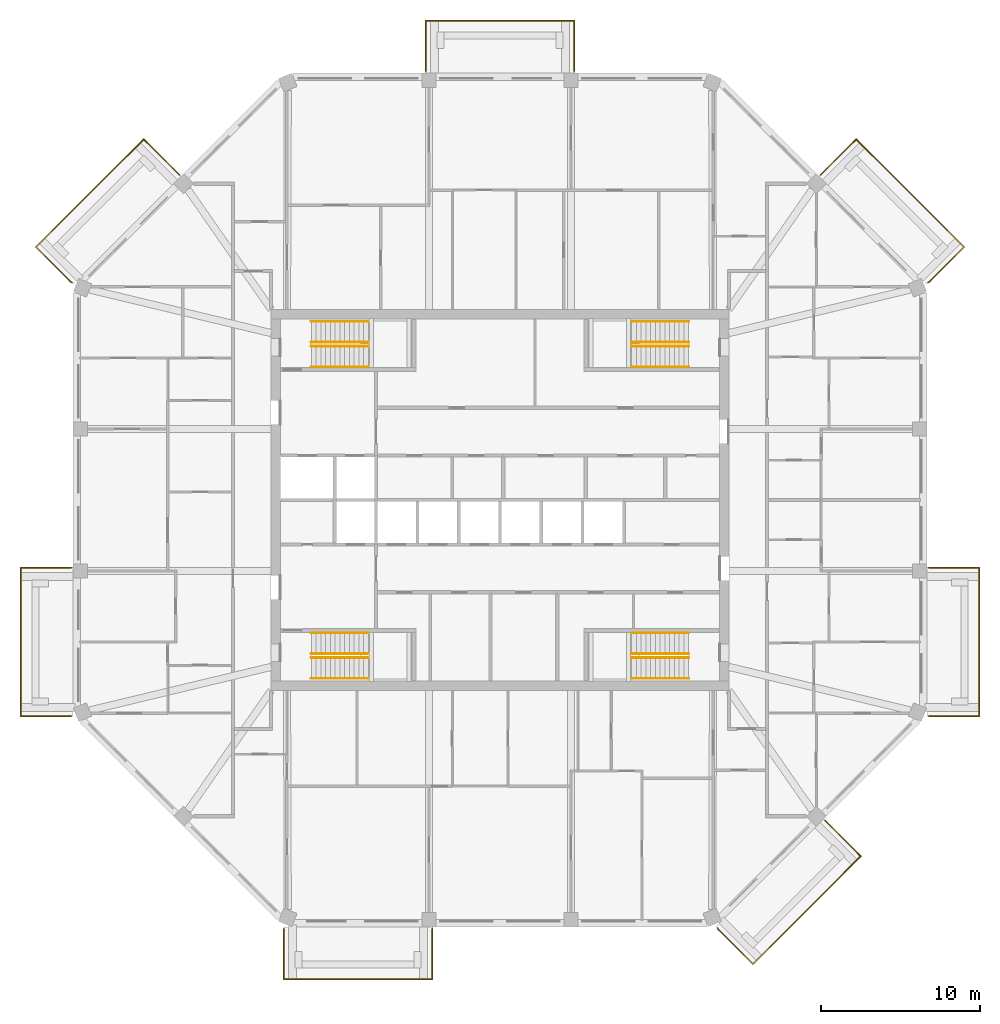
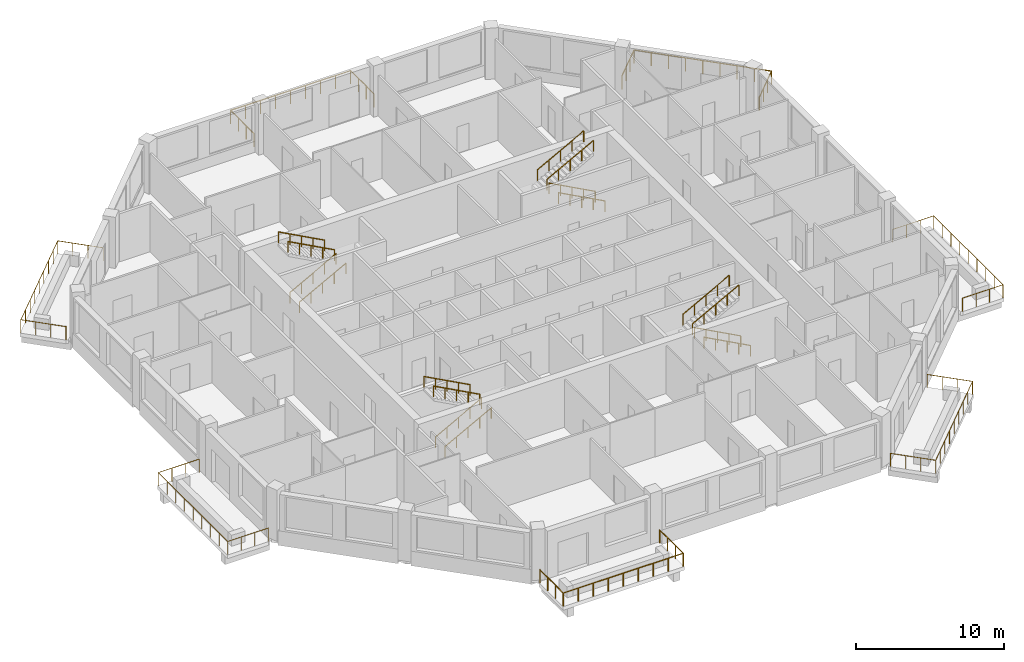
# One storey, part 11 of 11: 23 railings.
"""IFC4 building model written with IfcOpenShell, lengths in metres."""

from ifc_helpers import new_model, si_unit, direction, frame, origin, origin_2d, place, context, subcontext, project, spatial, circle, extrude, material, constituent, constituent_set, type_object, element, save


model = new_model("IFC4")

# Units and contexts
model_context = context("Model", 3, precision=1e-05, world=origin(), true_north=direction((0.0, 1.0)))
body_context = subcontext(model_context, "Body", "Model", "MODEL_VIEW")
ifc_project = project(units=[si_unit("LENGTHUNIT", "METRE"), si_unit("AREAUNIT", "SQUARE_METRE"), si_unit("VOLUMEUNIT", "CUBIC_METRE"), si_unit("PLANEANGLEUNIT", "RADIAN"), si_unit("MASSUNIT", "GRAM", prefix="KILO")], contexts=[model_context])

# Site, building, storey
site_placement = place(None, origin())
site = spatial("IfcSite", under=ifc_project, at=site_placement, CompositionType="ELEMENT")
building_placement = place(site_placement, origin())
building = spatial("IfcBuilding", under=site, at=building_placement, Name="Msitu Wima Residences", CompositionType="ELEMENT")
storey_placement = place(building_placement, frame((0.0, 0.0, 260.10009765625)))
storey = spatial("IfcBuildingStorey", under=building, at=storey_placement, Name="L60", CompositionType="ELEMENT", Elevation=260.10009765625)

# Railings
ifc_material_1 = material(Name="Steel S355", Category="steel")
ifc_constituent_1 = constituent(ifc_material_1, Name="Steel S355")
ifc_material_2 = material(Name="Weathering patina")
ifc_constituent_2 = constituent(ifc_material_2, Name="Weathering patina")
ifc_constituent_set_1 = constituent_set(constituents=[ifc_constituent_1, ifc_constituent_2], Name="Steel S355")
railing_type_1 = type_object("IfcRailingType", Name="Balcony guard GR1100", PredefinedType="GUARDRAIL", material=ifc_constituent_set_1)
railing_1_placement = place(storey_placement, frame((26.97998046875, -4.2685546875, 0.0)))
element("IfcRailing", 1, at=railing_1_placement, inside=storey, type_object=railing_type_1, Name="Balcony guard E0 L60", PredefinedType="GUARDRAIL", context=body_context, shape_type="SweptSolid", body=[
    extrude(circle(Radius=0.02392578125, at=origin_2d()), frame((0.0, 0.0, 1.076171875), z_axis=(1.0, 0.0, 0.0), x_axis=(0.0, 1.0, 0.0)), (0.0, 0.0, 1.0), 3.169921875),
    extrude(circle(Radius=0.02392578125, at=origin_2d()), frame((3.169921875, 0.0, 1.076171875), z_axis=(0.0, -1.0, 0.0), x_axis=(1.0, 0.0, 0.0)), (0.0, 0.0, 1.0), 9.33740234375),
    extrude(circle(Radius=0.02392578125, at=origin_2d()), frame((3.169921875, -9.33740234375, 1.076171875), z_axis=(-1.0, 0.0, 0.0), x_axis=(0.0, -1.0, 0.0)), (0.0, 0.0, 1.0), 3.136474609375),
    extrude(circle(Radius=0.02392578125, at=origin_2d()), frame((0.033447265625, -9.33740234375, 1.076171875), z_axis=(-0.923276184907, 0.384136806859, 0.0), x_axis=(-0.384136806859, -0.923276184907, 0.0)), (0.0, 0.0, 1.0), 0.0361328125),
    extrude(circle(Radius=0.02099609375, at=origin_2d()), origin(), (0.0, 0.0, 1.0), 1.052001953125),
    extrude(circle(Radius=0.02099609375, at=origin_2d()), frame((1.056640625, 0.0, 0.0)), (0.0, 0.0, 1.0), 1.052001953125),
    extrude(circle(Radius=0.02099609375, at=origin_2d()), frame((2.11328125, 0.0, 0.0)), (0.0, 0.0, 1.0), 1.052001953125),
    extrude(circle(Radius=0.02099609375, at=origin_2d()), frame((3.169921875, 0.0, 0.0)), (0.0, 0.0, 1.0), 1.052001953125),
    extrude(circle(Radius=0.02099609375, at=origin_2d()), frame((3.169921875, -1.167236328125, 0.0)), (0.0, 0.0, 1.0), 1.052001953125),
    extrude(circle(Radius=0.02099609375, at=origin_2d()), frame((3.169921875, -2.33447265625, 0.0)), (0.0, 0.0, 1.0), 1.052001953125),
    extrude(circle(Radius=0.02099609375, at=origin_2d()), frame((3.169921875, -3.50146484375, 0.0)), (0.0, 0.0, 1.0), 1.052001953125),
    extrude(circle(Radius=0.02099609375, at=origin_2d()), frame((3.169921875, -4.668701171875, 0.0)), (0.0, 0.0, 1.0), 1.052001953125),
    extrude(circle(Radius=0.02099609375, at=origin_2d()), frame((3.169921875, -5.8359375, 0.0)), (0.0, 0.0, 1.0), 1.052001953125),
    extrude(circle(Radius=0.02099609375, at=origin_2d()), frame((3.169921875, -7.0029296875, 0.0)), (0.0, 0.0, 1.0), 1.052001953125),
    extrude(circle(Radius=0.02099609375, at=origin_2d()), frame((3.169921875, -8.170166015625, 0.0)), (0.0, 0.0, 1.0), 1.052001953125),
    extrude(circle(Radius=0.02099609375, at=origin_2d()), frame((3.169921875, -9.33740234375, 0.0)), (0.0, 0.0, 1.0), 1.052001953125),
    extrude(circle(Radius=0.02099609375, at=origin_2d()), frame((2.12451171875, -9.33740234375, 0.0)), (0.0, 0.0, 1.0), 1.052001953125),
    extrude(circle(Radius=0.02099609375, at=origin_2d()), frame((1.078857421875, -9.33740234375, 0.0)), (0.0, 0.0, 1.0), 1.052001953125),
    extrude(circle(Radius=0.02099609375, at=origin_2d()), frame((0.033447265625, -9.33740234375, 0.0)), (0.0, 0.0, 1.0), 1.052001953125),
    extrude(circle(Radius=0.02099609375, at=origin_2d()), frame((0.0, -9.323486328125, 0.0)), (0.0, 0.0, 1.0), 1.052001953125),
])
railing_2_placement = place(storey_placement, frame((20.171630859375, 20.45458984375, 0.0)))
element("IfcRailing", 2, at=railing_2_placement, inside=storey, type_object=railing_type_1, Name="Balcony guard NE0 L60", PredefinedType="GUARDRAIL", context=body_context, shape_type="SweptSolid", body=[
    extrude(circle(Radius=0.02392578125, at=origin_2d()), frame((0.0, 0.0, 1.076171875), z_axis=(0.707106781187, 0.707106781187, 0.0), x_axis=(-0.707106781187, 0.707106781187, 0.0)), (0.0, 0.0, 1.0), 3.169921875),
    extrude(circle(Radius=0.02392578125, at=origin_2d()), frame((2.241455078125, 2.241455078125, 1.076171875), z_axis=(0.707106781187, -0.707106781187, 0.0), x_axis=(0.707106781187, 0.707106781187, 0.0)), (0.0, 0.0, 1.0), 9.58837890625),
    extrude(circle(Radius=0.02392578125, at=origin_2d()), frame((9.021484375, -4.53857421875, 1.076171875), z_axis=(-0.707106781187, -0.707106781187, 0.0), x_axis=(0.707106781187, -0.707106781187, 0.0)), (0.0, 0.0, 1.0), 3.136474609375),
    extrude(circle(Radius=0.02392578125, at=origin_2d()), frame((6.8037109375, -6.75634765625, 1.076171875), z_axis=(-0.92426142649, -0.38176015442, 0.0), x_axis=(0.38176015442, -0.92426142649, 0.0)), (0.0, 0.0, 1.0), 0.036376953125),
    extrude(circle(Radius=0.02099609375, at=origin_2d()), origin(), (0.0, 0.0, 1.0), 1.052001953125),
    extrude(circle(Radius=0.02099609375, at=origin_2d()), frame((0.7470703125, 0.7470703125, 0.0)), (0.0, 0.0, 1.0), 1.052001953125),
    extrude(circle(Radius=0.02099609375, at=origin_2d()), frame((1.494384765625, 1.494384765625, 0.0)), (0.0, 0.0, 1.0), 1.052001953125),
    extrude(circle(Radius=0.02099609375, at=origin_2d()), frame((2.241455078125, 2.241455078125, 0.0)), (0.0, 0.0, 1.0), 1.052001953125),
    extrude(circle(Radius=0.02099609375, at=origin_2d()), frame((3.0888671875, 1.39404296875, 0.0)), (0.0, 0.0, 1.0), 1.052001953125),
    extrude(circle(Radius=0.02099609375, at=origin_2d()), frame((3.9365234375, 0.54638671875, 0.0)), (0.0, 0.0, 1.0), 1.052001953125),
    extrude(circle(Radius=0.02099609375, at=origin_2d()), frame((4.783935546875, -0.301025390625, 0.0)), (0.0, 0.0, 1.0), 1.052001953125),
    extrude(circle(Radius=0.02099609375, at=origin_2d()), frame((5.63134765625, -1.1484375, 0.0)), (0.0, 0.0, 1.0), 1.052001953125),
    extrude(circle(Radius=0.02099609375, at=origin_2d()), frame((6.47900390625, -1.99609375, 0.0)), (0.0, 0.0, 1.0), 1.052001953125),
    extrude(circle(Radius=0.02099609375, at=origin_2d()), frame((7.326416015625, -2.843505859375, 0.0)), (0.0, 0.0, 1.0), 1.052001953125),
    extrude(circle(Radius=0.02099609375, at=origin_2d()), frame((8.174072265625, -3.691162109375, 0.0)), (0.0, 0.0, 1.0), 1.052001953125),
    extrude(circle(Radius=0.02099609375, at=origin_2d()), frame((9.021484375, -4.53857421875, 0.0)), (0.0, 0.0, 1.0), 1.052001953125),
    extrude(circle(Radius=0.02099609375, at=origin_2d()), frame((8.2822265625, -5.27783203125, 0.0)), (0.0, 0.0, 1.0), 1.052001953125),
    extrude(circle(Radius=0.02099609375, at=origin_2d()), frame((7.54296875, -6.01708984375, 0.0)), (0.0, 0.0, 1.0), 1.052001953125),
    extrude(circle(Radius=0.02099609375, at=origin_2d()), frame((6.8037109375, -6.75634765625, 0.0)), (0.0, 0.0, 1.0), 1.052001953125),
    extrude(circle(Radius=0.02099609375, at=origin_2d()), frame((6.77001953125, -6.770263671875, 0.0)), (0.0, 0.0, 1.0), 1.052001953125),
])
railing_3_placement = place(storey_placement, frame((-4.668701171875, 26.97998046875, 0.0)))
element("IfcRailing", 3, at=railing_3_placement, inside=storey, type_object=railing_type_1, Name="Balcony guard N1 L60", PredefinedType="GUARDRAIL", context=body_context, shape_type="SweptSolid", body=[
    extrude(circle(Radius=0.02392578125, at=origin_2d()), frame((0.0, 0.0, 1.076171875), z_axis=(0.0, 1.0, 0.0), x_axis=(-1.0, 0.0, 0.0)), (0.0, 0.0, 1.0), 3.169921875),
    extrude(circle(Radius=0.02392578125, at=origin_2d()), frame((0.0, 3.169921875, 1.076171875), z_axis=(1.0, 0.0, 0.0), x_axis=(0.0, 1.0, 0.0)), (0.0, 0.0, 1.0), 9.33740234375),
    extrude(circle(Radius=0.02392578125, at=origin_2d()), frame((9.33740234375, 3.169921875, 1.076171875), z_axis=(0.0, -1.0, 0.0), x_axis=(1.0, 0.0, 0.0)), (0.0, 0.0, 1.0), 3.169921875),
    extrude(circle(Radius=0.02099609375, at=origin_2d()), origin(), (0.0, 0.0, 1.0), 1.052001953125),
    extrude(circle(Radius=0.02099609375, at=origin_2d()), frame((0.0, 1.056640625, 0.0)), (0.0, 0.0, 1.0), 1.052001953125),
    extrude(circle(Radius=0.02099609375, at=origin_2d()), frame((0.0, 2.11328125, 0.0)), (0.0, 0.0, 1.0), 1.052001953125),
    extrude(circle(Radius=0.02099609375, at=origin_2d()), frame((0.0, 3.169921875, 0.0)), (0.0, 0.0, 1.0), 1.052001953125),
    extrude(circle(Radius=0.02099609375, at=origin_2d()), frame((1.167236328125, 3.169921875, 0.0)), (0.0, 0.0, 1.0), 1.052001953125),
    extrude(circle(Radius=0.02099609375, at=origin_2d()), frame((2.33447265625, 3.169921875, 0.0)), (0.0, 0.0, 1.0), 1.052001953125),
    extrude(circle(Radius=0.02099609375, at=origin_2d()), frame((3.50146484375, 3.169921875, 0.0)), (0.0, 0.0, 1.0), 1.052001953125),
    extrude(circle(Radius=0.02099609375, at=origin_2d()), frame((4.668701171875, 3.169921875, 0.0)), (0.0, 0.0, 1.0), 1.052001953125),
    extrude(circle(Radius=0.02099609375, at=origin_2d()), frame((5.8359375, 3.169921875, 0.0)), (0.0, 0.0, 1.0), 1.052001953125),
    extrude(circle(Radius=0.02099609375, at=origin_2d()), frame((7.0029296875, 3.169921875, 0.0)), (0.0, 0.0, 1.0), 1.052001953125),
    extrude(circle(Radius=0.02099609375, at=origin_2d()), frame((8.170166015625, 3.169921875, 0.0)), (0.0, 0.0, 1.0), 1.052001953125),
    extrude(circle(Radius=0.02099609375, at=origin_2d()), frame((9.33740234375, 3.169921875, 0.0)), (0.0, 0.0, 1.0), 1.052001953125),
    extrude(circle(Radius=0.02099609375, at=origin_2d()), frame((9.33740234375, 2.11328125, 0.0)), (0.0, 0.0, 1.0), 1.052001953125),
    extrude(circle(Radius=0.02099609375, at=origin_2d()), frame((9.33740234375, 1.056640625, 0.0)), (0.0, 0.0, 1.0), 1.052001953125),
    extrude(circle(Radius=0.02099609375, at=origin_2d()), frame((9.33740234375, 0.0, 0.0)), (0.0, 0.0, 1.0), 1.052001953125),
])
railing_4_placement = place(storey_placement, frame((-26.941650390625, 13.684326171875, 0.0)))
element("IfcRailing", 4, at=railing_4_placement, inside=storey, type_object=railing_type_1, Name="Balcony guard NW1 L60", PredefinedType="GUARDRAIL", context=body_context, shape_type="SweptSolid", body=[
    extrude(circle(Radius=0.02392578125, at=origin_2d()), frame((0.0, 0.0, 1.076171875), z_axis=(-0.92426142649, 0.38176015442, 0.0), x_axis=(-0.38176015442, -0.92426142649, 0.0)), (0.0, 0.0, 1.0), 0.036376953125),
    extrude(circle(Radius=0.02392578125, at=origin_2d()), frame((-0.03369140625, 0.013916015625, 1.076171875), z_axis=(-0.707106781187, 0.707106781187, 0.0), x_axis=(-0.707106781187, -0.707106781187, 0.0)), (0.0, 0.0, 1.0), 3.136474609375),
    extrude(circle(Radius=0.02392578125, at=origin_2d()), frame((-2.25146484375, 2.231689453125, 1.076171875), z_axis=(0.707106781187, 0.707106781187, 0.0), x_axis=(-0.707106781187, 0.707106781187, 0.0)), (0.0, 0.0, 1.0), 9.58837890625),
    extrude(circle(Radius=0.02392578125, at=origin_2d()), frame((4.528564453125, 9.01171875, 1.076171875), z_axis=(0.707106781187, -0.707106781187, 0.0), x_axis=(0.707106781187, 0.707106781187, 0.0)), (0.0, 0.0, 1.0), 3.169921875),
    extrude(circle(Radius=0.02099609375, at=origin_2d()), origin(), (0.0, 0.0, 1.0), 1.052001953125),
    extrude(circle(Radius=0.02099609375, at=origin_2d()), frame((-0.03369140625, 0.013916015625, 0.0)), (0.0, 0.0, 1.0), 1.052001953125),
    extrude(circle(Radius=0.02099609375, at=origin_2d()), frame((-0.77294921875, 0.753173828125, 0.0)), (0.0, 0.0, 1.0), 1.052001953125),
    extrude(circle(Radius=0.02099609375, at=origin_2d()), frame((-1.51220703125, 1.492431640625, 0.0)), (0.0, 0.0, 1.0), 1.052001953125),
    extrude(circle(Radius=0.02099609375, at=origin_2d()), frame((-2.25146484375, 2.231689453125, 0.0)), (0.0, 0.0, 1.0), 1.052001953125),
    extrude(circle(Radius=0.02099609375, at=origin_2d()), frame((-1.404052734375, 3.0791015625, 0.0)), (0.0, 0.0, 1.0), 1.052001953125),
    extrude(circle(Radius=0.02099609375, at=origin_2d()), frame((-0.556396484375, 3.9267578125, 0.0)), (0.0, 0.0, 1.0), 1.052001953125),
    extrude(circle(Radius=0.02099609375, at=origin_2d()), frame((0.291015625, 4.774169921875, 0.0)), (0.0, 0.0, 1.0), 1.052001953125),
    extrude(circle(Radius=0.02099609375, at=origin_2d()), frame((1.138671875, 5.62158203125, 0.0)), (0.0, 0.0, 1.0), 1.052001953125),
    extrude(circle(Radius=0.02099609375, at=origin_2d()), frame((1.986083984375, 6.46923828125, 0.0)), (0.0, 0.0, 1.0), 1.052001953125),
    extrude(circle(Radius=0.02099609375, at=origin_2d()), frame((2.83349609375, 7.316650390625, 0.0)), (0.0, 0.0, 1.0), 1.052001953125),
    extrude(circle(Radius=0.02099609375, at=origin_2d()), frame((3.68115234375, 8.164306640625, 0.0)), (0.0, 0.0, 1.0), 1.052001953125),
    extrude(circle(Radius=0.02099609375, at=origin_2d()), frame((4.528564453125, 9.01171875, 0.0)), (0.0, 0.0, 1.0), 1.052001953125),
    extrude(circle(Radius=0.02099609375, at=origin_2d()), frame((5.275634765625, 8.2646484375, 0.0)), (0.0, 0.0, 1.0), 1.052001953125),
    extrude(circle(Radius=0.02099609375, at=origin_2d()), frame((6.02294921875, 7.517333984375, 0.0)), (0.0, 0.0, 1.0), 1.052001953125),
    extrude(circle(Radius=0.02099609375, at=origin_2d()), frame((6.77001953125, 6.770263671875, 0.0)), (0.0, 0.0, 1.0), 1.052001953125),
])
railing_5_placement = place(storey_placement, frame((-26.97998046875, -13.592041015625, 0.0)))
element("IfcRailing", 5, at=railing_5_placement, inside=storey, type_object=railing_type_1, Name="Balcony guard W2 L60", PredefinedType="GUARDRAIL", context=body_context, shape_type="SweptSolid", body=[
    extrude(circle(Radius=0.02392578125, at=origin_2d()), frame((0.0, 0.0, 1.076171875), z_axis=(-0.923276184907, -0.384136806859, 0.0), x_axis=(0.384136806859, -0.923276184907, 0.0)), (0.0, 0.0, 1.0), 0.0361328125),
    extrude(circle(Radius=0.02392578125, at=origin_2d()), frame((-0.033447265625, -0.013916015625, 1.076171875), z_axis=(-1.0, 0.0, 0.0), x_axis=(0.0, -1.0, 0.0)), (0.0, 0.0, 1.0), 3.136474609375),
    extrude(circle(Radius=0.02392578125, at=origin_2d()), frame((-3.169921875, -0.013916015625, 1.076171875), z_axis=(0.0, 1.0, 0.0), x_axis=(-1.0, 0.0, 0.0)), (0.0, 0.0, 1.0), 9.33740234375),
    extrude(circle(Radius=0.02392578125, at=origin_2d()), frame((-3.169921875, 9.323486328125, 1.076171875), z_axis=(1.0, 0.0, 0.0), x_axis=(0.0, 1.0, 0.0)), (0.0, 0.0, 1.0), 3.169921875),
    extrude(circle(Radius=0.02099609375, at=origin_2d()), origin(), (0.0, 0.0, 1.0), 1.052001953125),
    extrude(circle(Radius=0.02099609375, at=origin_2d()), frame((-0.033447265625, -0.013916015625, 0.0)), (0.0, 0.0, 1.0), 1.052001953125),
    extrude(circle(Radius=0.02099609375, at=origin_2d()), frame((-1.078857421875, -0.013916015625, 0.0)), (0.0, 0.0, 1.0), 1.052001953125),
    extrude(circle(Radius=0.02099609375, at=origin_2d()), frame((-2.12451171875, -0.013916015625, 0.0)), (0.0, 0.0, 1.0), 1.052001953125),
    extrude(circle(Radius=0.02099609375, at=origin_2d()), frame((-3.169921875, -0.013916015625, 0.0)), (0.0, 0.0, 1.0), 1.052001953125),
    extrude(circle(Radius=0.02099609375, at=origin_2d()), frame((-3.169921875, 1.1533203125, 0.0)), (0.0, 0.0, 1.0), 1.052001953125),
    extrude(circle(Radius=0.02099609375, at=origin_2d()), frame((-3.169921875, 2.3203125, 0.0)), (0.0, 0.0, 1.0), 1.052001953125),
    extrude(circle(Radius=0.02099609375, at=origin_2d()), frame((-3.169921875, 3.487548828125, 0.0)), (0.0, 0.0, 1.0), 1.052001953125),
    extrude(circle(Radius=0.02099609375, at=origin_2d()), frame((-3.169921875, 4.65478515625, 0.0)), (0.0, 0.0, 1.0), 1.052001953125),
    extrude(circle(Radius=0.02099609375, at=origin_2d()), frame((-3.169921875, 5.822021484375, 0.0)), (0.0, 0.0, 1.0), 1.052001953125),
    extrude(circle(Radius=0.02099609375, at=origin_2d()), frame((-3.169921875, 6.9892578125, 0.0)), (0.0, 0.0, 1.0), 1.052001953125),
    extrude(circle(Radius=0.02099609375, at=origin_2d()), frame((-3.169921875, 8.15625, 0.0)), (0.0, 0.0, 1.0), 1.052001953125),
    extrude(circle(Radius=0.02099609375, at=origin_2d()), frame((-3.169921875, 9.323486328125, 0.0)), (0.0, 0.0, 1.0), 1.052001953125),
    extrude(circle(Radius=0.02099609375, at=origin_2d()), frame((-2.11328125, 9.323486328125, 0.0)), (0.0, 0.0, 1.0), 1.052001953125),
    extrude(circle(Radius=0.02099609375, at=origin_2d()), frame((-1.056640625, 9.323486328125, 0.0)), (0.0, 0.0, 1.0), 1.052001953125),
    extrude(circle(Radius=0.02099609375, at=origin_2d()), frame((0.0, 9.323486328125, 0.0)), (0.0, 0.0, 1.0), 1.052001953125),
])
railing_6_placement = place(storey_placement, frame((-4.2685546875, -26.97998046875, 0.0)))
element("IfcRailing", 6, at=railing_6_placement, inside=storey, type_object=railing_type_1, Name="Balcony guard S0 L60", PredefinedType="GUARDRAIL", context=body_context, shape_type="SweptSolid", body=[
    extrude(circle(Radius=0.02392578125, at=origin_2d()), frame((0.0, 0.0, 1.076171875), z_axis=(0.0, -1.0, 0.0), x_axis=(1.0, 0.0, 0.0)), (0.0, 0.0, 1.0), 3.169921875),
    extrude(circle(Radius=0.02392578125, at=origin_2d()), frame((0.0, -3.169921875, 1.076171875), z_axis=(-1.0, 0.0, 0.0), x_axis=(0.0, -1.0, 0.0)), (0.0, 0.0, 1.0), 9.33740234375),
    extrude(circle(Radius=0.02392578125, at=origin_2d()), frame((-9.33740234375, -3.169921875, 1.076171875), z_axis=(0.0, 1.0, 0.0), x_axis=(-1.0, 0.0, 0.0)), (0.0, 0.0, 1.0), 3.136474609375),
    extrude(circle(Radius=0.02392578125, at=origin_2d()), frame((-9.33740234375, -0.033447265625, 1.076171875), z_axis=(0.384136806859, 0.923276184907, 0.0), x_axis=(-0.923276184907, 0.384136806859, 0.0)), (0.0, 0.0, 1.0), 0.0361328125),
    extrude(circle(Radius=0.02099609375, at=origin_2d()), origin(), (0.0, 0.0, 1.0), 1.052001953125),
    extrude(circle(Radius=0.02099609375, at=origin_2d()), frame((0.0, -1.056640625, 0.0)), (0.0, 0.0, 1.0), 1.052001953125),
    extrude(circle(Radius=0.02099609375, at=origin_2d()), frame((0.0, -2.11328125, 0.0)), (0.0, 0.0, 1.0), 1.052001953125),
    extrude(circle(Radius=0.02099609375, at=origin_2d()), frame((0.0, -3.169921875, 0.0)), (0.0, 0.0, 1.0), 1.052001953125),
    extrude(circle(Radius=0.02099609375, at=origin_2d()), frame((-1.167236328125, -3.169921875, 0.0)), (0.0, 0.0, 1.0), 1.052001953125),
    extrude(circle(Radius=0.02099609375, at=origin_2d()), frame((-2.33447265625, -3.169921875, 0.0)), (0.0, 0.0, 1.0), 1.052001953125),
    extrude(circle(Radius=0.02099609375, at=origin_2d()), frame((-3.50146484375, -3.169921875, 0.0)), (0.0, 0.0, 1.0), 1.052001953125),
    extrude(circle(Radius=0.02099609375, at=origin_2d()), frame((-4.668701171875, -3.169921875, 0.0)), (0.0, 0.0, 1.0), 1.052001953125),
    extrude(circle(Radius=0.02099609375, at=origin_2d()), frame((-5.8359375, -3.169921875, 0.0)), (0.0, 0.0, 1.0), 1.052001953125),
    extrude(circle(Radius=0.02099609375, at=origin_2d()), frame((-7.0029296875, -3.169921875, 0.0)), (0.0, 0.0, 1.0), 1.052001953125),
    extrude(circle(Radius=0.02099609375, at=origin_2d()), frame((-8.170166015625, -3.169921875, 0.0)), (0.0, 0.0, 1.0), 1.052001953125),
    extrude(circle(Radius=0.02099609375, at=origin_2d()), frame((-9.33740234375, -3.169921875, 0.0)), (0.0, 0.0, 1.0), 1.052001953125),
    extrude(circle(Radius=0.02099609375, at=origin_2d()), frame((-9.33740234375, -2.12451171875, 0.0)), (0.0, 0.0, 1.0), 1.052001953125),
    extrude(circle(Radius=0.02099609375, at=origin_2d()), frame((-9.33740234375, -1.078857421875, 0.0)), (0.0, 0.0, 1.0), 1.052001953125),
    extrude(circle(Radius=0.02099609375, at=origin_2d()), frame((-9.33740234375, -0.033447265625, 0.0)), (0.0, 0.0, 1.0), 1.052001953125),
    extrude(circle(Radius=0.02099609375, at=origin_2d()), frame((-9.323486328125, 0.0, 0.0)), (0.0, 0.0, 1.0), 1.052001953125),
])
railing_7_placement = place(storey_placement, frame((20.45458984375, -20.171630859375, 0.0)))
element("IfcRailing", 7, at=railing_7_placement, inside=storey, type_object=railing_type_1, Name="Balcony guard SE0 L60", PredefinedType="GUARDRAIL", context=body_context, shape_type="SweptSolid", body=[
    extrude(circle(Radius=0.02392578125, at=origin_2d()), frame((0.0, 0.0, 1.076171875), z_axis=(0.707106781187, -0.707106781187, 0.0), x_axis=(0.707106781187, 0.707106781187, 0.0)), (0.0, 0.0, 1.0), 3.169921875),
    extrude(circle(Radius=0.02392578125, at=origin_2d()), frame((2.241455078125, -2.241455078125, 1.076171875), z_axis=(-0.707106781187, -0.707106781187, 0.0), x_axis=(0.707106781187, -0.707106781187, 0.0)), (0.0, 0.0, 1.0), 9.58837890625),
    extrude(circle(Radius=0.02392578125, at=origin_2d()), frame((-4.53857421875, -9.021484375, 1.076171875), z_axis=(-0.707106781187, 0.707106781187, 0.0), x_axis=(-0.707106781187, -0.707106781187, 0.0)), (0.0, 0.0, 1.0), 3.136474609375),
    extrude(circle(Radius=0.02392578125, at=origin_2d()), frame((-6.75634765625, -6.8037109375, 1.076171875), z_axis=(-0.38176015442, 0.92426142649, 0.0), x_axis=(-0.92426142649, -0.38176015442, 0.0)), (0.0, 0.0, 1.0), 0.036376953125),
    extrude(circle(Radius=0.02099609375, at=origin_2d()), origin(), (0.0, 0.0, 1.0), 1.052001953125),
    extrude(circle(Radius=0.02099609375, at=origin_2d()), frame((0.7470703125, -0.7470703125, 0.0)), (0.0, 0.0, 1.0), 1.052001953125),
    extrude(circle(Radius=0.02099609375, at=origin_2d()), frame((1.494384765625, -1.494384765625, 0.0)), (0.0, 0.0, 1.0), 1.052001953125),
    extrude(circle(Radius=0.02099609375, at=origin_2d()), frame((2.241455078125, -2.241455078125, 0.0)), (0.0, 0.0, 1.0), 1.052001953125),
    extrude(circle(Radius=0.02099609375, at=origin_2d()), frame((1.39404296875, -3.0888671875, 0.0)), (0.0, 0.0, 1.0), 1.052001953125),
    extrude(circle(Radius=0.02099609375, at=origin_2d()), frame((0.54638671875, -3.9365234375, 0.0)), (0.0, 0.0, 1.0), 1.052001953125),
    extrude(circle(Radius=0.02099609375, at=origin_2d()), frame((-0.301025390625, -4.783935546875, 0.0)), (0.0, 0.0, 1.0), 1.052001953125),
    extrude(circle(Radius=0.02099609375, at=origin_2d()), frame((-1.1484375, -5.63134765625, 0.0)), (0.0, 0.0, 1.0), 1.052001953125),
    extrude(circle(Radius=0.02099609375, at=origin_2d()), frame((-1.99609375, -6.47900390625, 0.0)), (0.0, 0.0, 1.0), 1.052001953125),
    extrude(circle(Radius=0.02099609375, at=origin_2d()), frame((-2.843505859375, -7.326416015625, 0.0)), (0.0, 0.0, 1.0), 1.052001953125),
    extrude(circle(Radius=0.02099609375, at=origin_2d()), frame((-3.691162109375, -8.174072265625, 0.0)), (0.0, 0.0, 1.0), 1.052001953125),
    extrude(circle(Radius=0.02099609375, at=origin_2d()), frame((-4.53857421875, -9.021484375, 0.0)), (0.0, 0.0, 1.0), 1.052001953125),
    extrude(circle(Radius=0.02099609375, at=origin_2d()), frame((-5.27783203125, -8.2822265625, 0.0)), (0.0, 0.0, 1.0), 1.052001953125),
    extrude(circle(Radius=0.02099609375, at=origin_2d()), frame((-6.01708984375, -7.54296875, 0.0)), (0.0, 0.0, 1.0), 1.052001953125),
    extrude(circle(Radius=0.02099609375, at=origin_2d()), frame((-6.75634765625, -6.8037109375, 0.0)), (0.0, 0.0, 1.0), 1.052001953125),
    extrude(circle(Radius=0.02099609375, at=origin_2d()), frame((-6.770263671875, -6.77001953125, 0.0)), (0.0, 0.0, 1.0), 1.052001953125),
])
ifc_constituent_3 = constituent(ifc_material_1, Name="Steel S355")
ifc_material_3 = material(Name="Black powder coating")
ifc_constituent_4 = constituent(ifc_material_3, Name="Black powder coating")
ifc_constituent_set_2 = constituent_set(constituents=[ifc_constituent_3, ifc_constituent_4], Name="Steel S355")
railing_type_2 = type_object("IfcRailingType", Name="Stair handrail HR1", PredefinedType="HANDRAIL", material=ifc_constituent_set_2)
for number, where, name in (
    (8, (-11.875, 8.375, 0.161376953125), "Stair 1 handrail"),
    (9, (-11.875, 9.675048828125, 0.161376953125), "Stair 1 handrail"),
):
    element("IfcRailing", number, at=place(storey_placement, frame(where)), inside=storey, type_object=railing_type_2, Name=name, PredefinedType="HANDRAIL", context=body_context, shape_type="SweptSolid", body=[
        extrude(circle(Radius=0.02392578125, at=origin_2d()), frame((0.0, 0.0, 0.8759765625), z_axis=(0.880474934443, 0.0, 0.474092701714), x_axis=(0.0, 1.0, 0.0)), (0.0, 0.0, 1.0), 4.0888671875),
        extrude(circle(Radius=0.02099609375, at=origin_2d()), origin(), (0.0, 0.0, 1.0), 0.851806640625),
        extrude(circle(Radius=0.02099609375, at=origin_2d()), frame((0.89990234375, 0.0, 0.484619140625)), (0.0, 0.0, 1.0), 0.851806640625),
        extrude(circle(Radius=0.02099609375, at=origin_2d()), frame((1.800048828125, 0.0, 0.96923828125)), (0.0, 0.0, 1.0), 0.851806640625),
        extrude(circle(Radius=0.02099609375, at=origin_2d()), frame((2.7001953125, 0.0, 1.453857421875)), (0.0, 0.0, 1.0), 0.851806640625),
        extrude(circle(Radius=0.02099609375, at=origin_2d()), frame((3.60009765625, 0.0, 1.9384765625)), (0.0, 0.0, 1.0), 0.851806640625),
    ])
for number, where, name in (
    (10, (-8.27490234375, 9.925048828125, 2.261474609375), "Stair 1 handrail"),
    (11, (-8.27490234375, 11.22509765625, 2.261474609375), "Stair 1 handrail"),
):
    element("IfcRailing", number, at=place(storey_placement, frame(where)), inside=storey, type_object=railing_type_2, Name=name, PredefinedType="HANDRAIL", context=body_context, shape_type="SweptSolid", body=[
        extrude(circle(Radius=0.02392578125, at=origin_2d()), frame((0.0, 0.0, 0.8759765625), z_axis=(-0.880474934443, 0.0, 0.474092701714), x_axis=(0.0, -1.0, 0.0)), (0.0, 0.0, 1.0), 4.0888671875),
        extrude(circle(Radius=0.02099609375, at=origin_2d()), origin(), (0.0, 0.0, 1.0), 0.851806640625),
        extrude(circle(Radius=0.02099609375, at=origin_2d()), frame((-0.89990234375, 0.0, 0.484619140625)), (0.0, 0.0, 1.0), 0.851806640625),
        extrude(circle(Radius=0.02099609375, at=origin_2d()), frame((-1.800048828125, 0.0, 0.96923828125)), (0.0, 0.0, 1.0), 0.851806640625),
        extrude(circle(Radius=0.02099609375, at=origin_2d()), frame((-2.7001953125, 0.0, 1.453857421875)), (0.0, 0.0, 1.0), 0.851806640625),
        extrude(circle(Radius=0.02099609375, at=origin_2d()), frame((-3.60009765625, 0.0, 1.9384765625)), (0.0, 0.0, 1.0), 0.851806640625),
    ])
for number, where, name in (
    (12, (-11.875, -11.22509765625, 0.161376953125), "Stair 2 handrail"),
    (13, (-11.875, -9.925048828125, 0.161376953125), "Stair 2 handrail"),
):
    element("IfcRailing", number, at=place(storey_placement, frame(where)), inside=storey, type_object=railing_type_2, Name=name, PredefinedType="HANDRAIL", context=body_context, shape_type="SweptSolid", body=[
        extrude(circle(Radius=0.02392578125, at=origin_2d()), frame((0.0, 0.0, 0.8759765625), z_axis=(0.880474934443, 0.0, 0.474092701714), x_axis=(0.0, 1.0, 0.0)), (0.0, 0.0, 1.0), 4.0888671875),
        extrude(circle(Radius=0.02099609375, at=origin_2d()), origin(), (0.0, 0.0, 1.0), 0.851806640625),
        extrude(circle(Radius=0.02099609375, at=origin_2d()), frame((0.89990234375, 0.0, 0.484619140625)), (0.0, 0.0, 1.0), 0.851806640625),
        extrude(circle(Radius=0.02099609375, at=origin_2d()), frame((1.800048828125, 0.0, 0.96923828125)), (0.0, 0.0, 1.0), 0.851806640625),
        extrude(circle(Radius=0.02099609375, at=origin_2d()), frame((2.7001953125, 0.0, 1.453857421875)), (0.0, 0.0, 1.0), 0.851806640625),
        extrude(circle(Radius=0.02099609375, at=origin_2d()), frame((3.60009765625, 0.0, 1.9384765625)), (0.0, 0.0, 1.0), 0.851806640625),
    ])
for number, where, name in (
    (14, (-8.27490234375, -9.675048828125, 2.261474609375), "Stair 2 handrail"),
    (15, (-8.27490234375, -8.375, 2.261474609375), "Stair 2 handrail"),
    (16, (11.875, 8.375, 0.161376953125), "Stair 3 handrail"),
    (17, (11.875, 9.675048828125, 0.161376953125), "Stair 3 handrail"),
):
    element("IfcRailing", number, at=place(storey_placement, frame(where)), inside=storey, type_object=railing_type_2, Name=name, PredefinedType="HANDRAIL", context=body_context, shape_type="SweptSolid", body=[
        extrude(circle(Radius=0.02392578125, at=origin_2d()), frame((0.0, 0.0, 0.8759765625), z_axis=(-0.880474934443, 0.0, 0.474092701714), x_axis=(0.0, -1.0, 0.0)), (0.0, 0.0, 1.0), 4.0888671875),
        extrude(circle(Radius=0.02099609375, at=origin_2d()), origin(), (0.0, 0.0, 1.0), 0.851806640625),
        extrude(circle(Radius=0.02099609375, at=origin_2d()), frame((-0.89990234375, 0.0, 0.484619140625)), (0.0, 0.0, 1.0), 0.851806640625),
        extrude(circle(Radius=0.02099609375, at=origin_2d()), frame((-1.800048828125, 0.0, 0.96923828125)), (0.0, 0.0, 1.0), 0.851806640625),
        extrude(circle(Radius=0.02099609375, at=origin_2d()), frame((-2.7001953125, 0.0, 1.453857421875)), (0.0, 0.0, 1.0), 0.851806640625),
        extrude(circle(Radius=0.02099609375, at=origin_2d()), frame((-3.60009765625, 0.0, 1.9384765625)), (0.0, 0.0, 1.0), 0.851806640625),
    ])
for number, where, name in (
    (18, (8.27490234375, 9.925048828125, 2.261474609375), "Stair 3 handrail"),
    (19, (8.27490234375, 11.22509765625, 2.261474609375), "Stair 3 handrail"),
):
    element("IfcRailing", number, at=place(storey_placement, frame(where)), inside=storey, type_object=railing_type_2, Name=name, PredefinedType="HANDRAIL", context=body_context, shape_type="SweptSolid", body=[
        extrude(circle(Radius=0.02392578125, at=origin_2d()), frame((0.0, 0.0, 0.8759765625), z_axis=(0.880474934443, 0.0, 0.474092701714), x_axis=(0.0, 1.0, 0.0)), (0.0, 0.0, 1.0), 4.0888671875),
        extrude(circle(Radius=0.02099609375, at=origin_2d()), origin(), (0.0, 0.0, 1.0), 0.851806640625),
        extrude(circle(Radius=0.02099609375, at=origin_2d()), frame((0.89990234375, 0.0, 0.484619140625)), (0.0, 0.0, 1.0), 0.851806640625),
        extrude(circle(Radius=0.02099609375, at=origin_2d()), frame((1.800048828125, 0.0, 0.96923828125)), (0.0, 0.0, 1.0), 0.851806640625),
        extrude(circle(Radius=0.02099609375, at=origin_2d()), frame((2.7001953125, 0.0, 1.453857421875)), (0.0, 0.0, 1.0), 0.851806640625),
        extrude(circle(Radius=0.02099609375, at=origin_2d()), frame((3.60009765625, 0.0, 1.9384765625)), (0.0, 0.0, 1.0), 0.851806640625),
    ])
for number, where, name in (
    (20, (11.875, -11.22509765625, 0.161376953125), "Stair 4 handrail"),
    (21, (11.875, -9.925048828125, 0.161376953125), "Stair 4 handrail"),
):
    element("IfcRailing", number, at=place(storey_placement, frame(where)), inside=storey, type_object=railing_type_2, Name=name, PredefinedType="HANDRAIL", context=body_context, shape_type="SweptSolid", body=[
        extrude(circle(Radius=0.02392578125, at=origin_2d()), frame((0.0, 0.0, 0.8759765625), z_axis=(-0.880474934443, 0.0, 0.474092701714), x_axis=(0.0, -1.0, 0.0)), (0.0, 0.0, 1.0), 4.0888671875),
        extrude(circle(Radius=0.02099609375, at=origin_2d()), origin(), (0.0, 0.0, 1.0), 0.851806640625),
        extrude(circle(Radius=0.02099609375, at=origin_2d()), frame((-0.89990234375, 0.0, 0.484619140625)), (0.0, 0.0, 1.0), 0.851806640625),
        extrude(circle(Radius=0.02099609375, at=origin_2d()), frame((-1.800048828125, 0.0, 0.96923828125)), (0.0, 0.0, 1.0), 0.851806640625),
        extrude(circle(Radius=0.02099609375, at=origin_2d()), frame((-2.7001953125, 0.0, 1.453857421875)), (0.0, 0.0, 1.0), 0.851806640625),
        extrude(circle(Radius=0.02099609375, at=origin_2d()), frame((-3.60009765625, 0.0, 1.9384765625)), (0.0, 0.0, 1.0), 0.851806640625),
    ])
for number, where, name in (
    (22, (8.27490234375, -9.675048828125, 2.261474609375), "Stair 4 handrail"),
    (23, (8.27490234375, -8.375, 2.261474609375), "Stair 4 handrail"),
):
    element("IfcRailing", number, at=place(storey_placement, frame(where)), inside=storey, type_object=railing_type_2, Name=name, PredefinedType="HANDRAIL", context=body_context, shape_type="SweptSolid", body=[
        extrude(circle(Radius=0.02392578125, at=origin_2d()), frame((0.0, 0.0, 0.8759765625), z_axis=(0.880474934443, 0.0, 0.474092701714), x_axis=(0.0, 1.0, 0.0)), (0.0, 0.0, 1.0), 4.0888671875),
        extrude(circle(Radius=0.02099609375, at=origin_2d()), origin(), (0.0, 0.0, 1.0), 0.851806640625),
        extrude(circle(Radius=0.02099609375, at=origin_2d()), frame((0.89990234375, 0.0, 0.484619140625)), (0.0, 0.0, 1.0), 0.851806640625),
        extrude(circle(Radius=0.02099609375, at=origin_2d()), frame((1.800048828125, 0.0, 0.96923828125)), (0.0, 0.0, 1.0), 0.851806640625),
        extrude(circle(Radius=0.02099609375, at=origin_2d()), frame((2.7001953125, 0.0, 1.453857421875)), (0.0, 0.0, 1.0), 0.851806640625),
        extrude(circle(Radius=0.02099609375, at=origin_2d()), frame((3.60009765625, 0.0, 1.9384765625)), (0.0, 0.0, 1.0), 0.851806640625),
    ])

save(model, "model.ifc")
